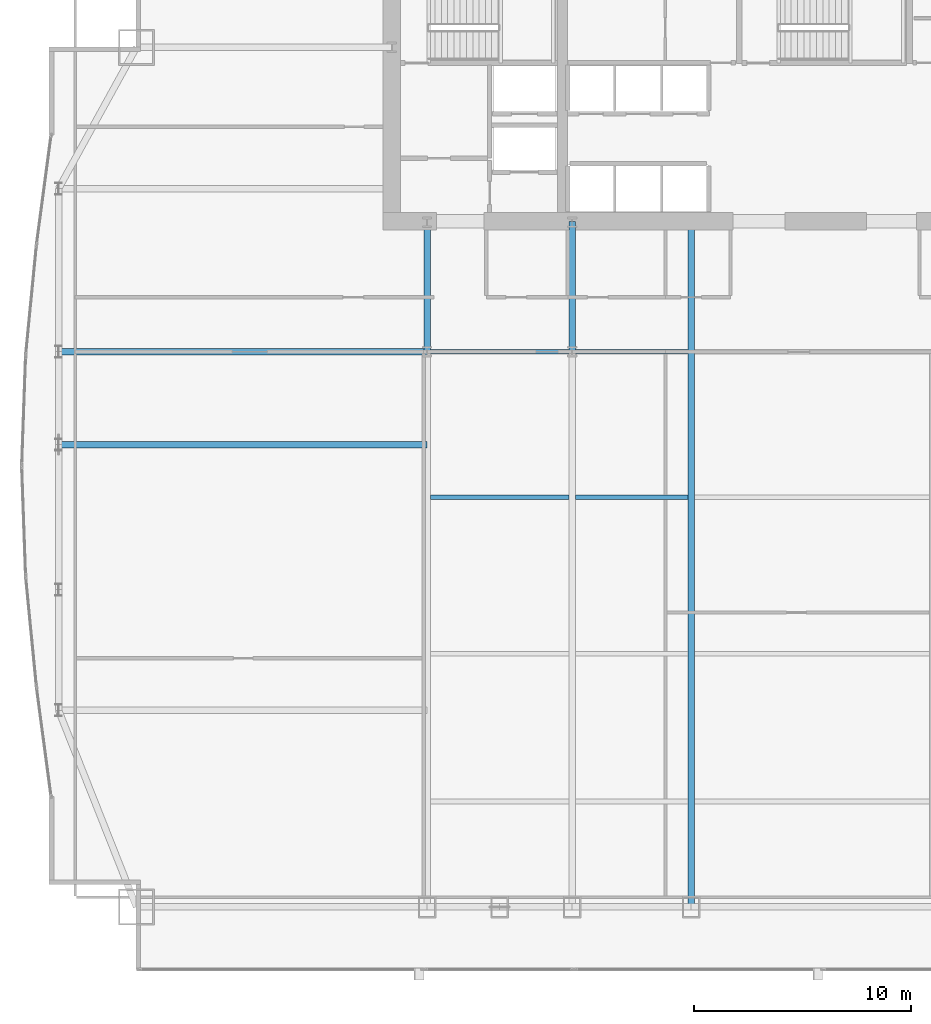
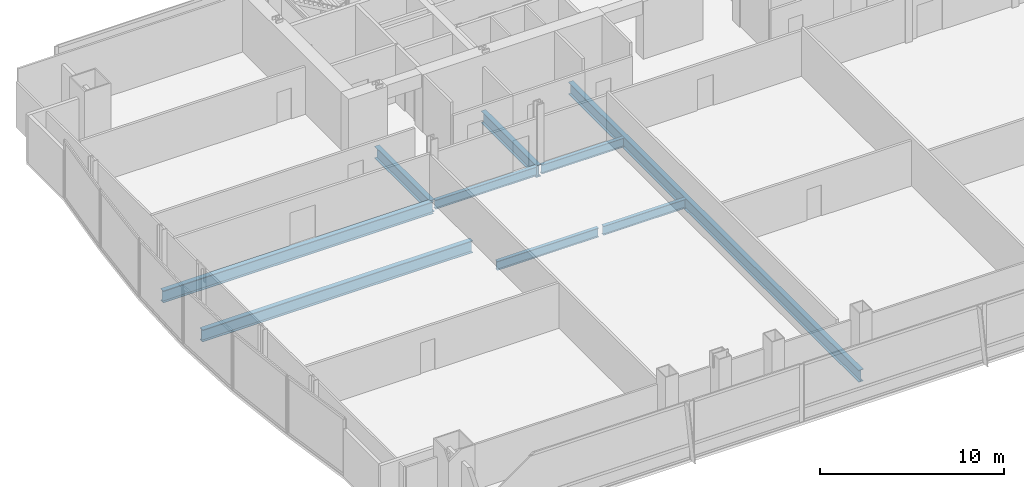
# One storey, part 11 of 35: 9 beams.
"""IFC4 building model written with IfcOpenShell, lengths in metres."""

from ifc_helpers import new_model, si_unit, direction, frame, origin, origin_2d, place, context, subcontext, project, spatial, i_section, extrude, material, material_profile, profile_set, type_object, element, save


model = new_model("IFC4")

# Units and contexts
model_context = context("Model", 3, precision=1e-05, world=origin(), true_north=direction((0.0, 1.0)))
body_context = subcontext(model_context, "Body", "Model", "MODEL_VIEW")
ifc_project = project(units=[si_unit("LENGTHUNIT", "METRE"), si_unit("AREAUNIT", "SQUARE_METRE"), si_unit("VOLUMEUNIT", "CUBIC_METRE"), si_unit("PLANEANGLEUNIT", "RADIAN"), si_unit("MASSUNIT", "GRAM", prefix="KILO")], contexts=[model_context])

# Site, building, storey
site_placement = place(None, origin())
site = spatial("IfcSite", under=ifc_project, at=site_placement, CompositionType="ELEMENT")
building_placement = place(site_placement, origin())
building = spatial("IfcBuilding", under=site, at=building_placement, Name="Khoronbel Lancet Exchange", CompositionType="ELEMENT")
storey_placement = place(building_placement, frame((0.0, 0.0, 69.800048828125)))
storey = spatial("IfcBuildingStorey", under=building, at=storey_placement, Name="L16", CompositionType="ELEMENT", Elevation=69.800048828125)

# Beams
ifc_material = material(Name="Steel S355", Category="steel")
ifc_material_profile_1 = material_profile(ifc_material, i_section(OverallWidth=0.300048828125, OverallDepth=0.800048828125, WebThickness=0.017578125, FlangeThickness=0.032958984375, at=origin_2d()), Name="HEB 800")
ifc_profile_set_1 = profile_set([ifc_material_profile_1], Name="Steel S355")
beam_type_1 = type_object("IfcBeamType", Name="BM-BG2", PredefinedType="BEAM", material=ifc_profile_set_1)
for number, where, z_axis, x_axis, name in (
    (1, (18.22509765625, 35.699951171875, -0.580078125), (0.0, 1.0, 0.0), (-1.0, 0.0, 0.0), "Level L16 spine tie girder GN1"),
    (2, (24.89990234375, 35.699951171875, -0.580078125), (0.0, 1.0, 0.0), (-1.0, 0.0, 0.0), "Level L16 spine tie girder GN2"),
):
    element("IfcBeam", number, at=place(storey_placement, frame(where, z_axis=z_axis, x_axis=x_axis)), inside=storey, type_object=beam_type_1, Name=name, PredefinedType="BEAM", context=body_context, shape_type="SweptSolid", body=[
        extrude(i_section(OverallWidth=0.300048828125, OverallDepth=0.800048828125, WebThickness=0.017578125, FlangeThickness=0.032958984375, at=origin_2d()), origin(), (0.0, 0.0, 1.0), 6.0),
    ])
beam_1_placement = place(storey_placement, frame((30.375, 10.14990234375, -0.580078125), z_axis=(0.0, 1.0, 0.0), x_axis=(-1.0, 0.0, 0.0)))
element("IfcBeam", 3, at=beam_1_placement, inside=storey, type_object=beam_type_1, Name="Level L16 primary floor girder G3", PredefinedType="BEAM", context=body_context, shape_type="SweptSolid", body=[
    extrude(i_section(OverallWidth=0.300048828125, OverallDepth=0.800048828125, WebThickness=0.017578125, FlangeThickness=0.032958984375, at=origin_2d()), origin(), (0.0, 0.0, 1.0), 31.550048828125),
])
for number, where, z_axis, x_axis, name in (
    (4, (1.27001953125, 31.425048828125, -0.580078125), (1.0, 0.0, 0.0), (0.0, 1.0, 0.0), "Level L16 west lens tie girder LG2W"),
    (5, (1.27001953125, 35.699951171875, -0.580078125), (1.0, 0.0, 0.0), (0.0, 1.0, 0.0), "Level L16 west lens tie girder LG4W"),
):
    element("IfcBeam", number, at=place(storey_placement, frame(where, z_axis=z_axis, x_axis=x_axis)), inside=storey, type_object=beam_type_1, Name=name, PredefinedType="BEAM", context=body_context, shape_type="SweptSolid", body=[
        extrude(i_section(OverallWidth=0.300048828125, OverallDepth=0.800048828125, WebThickness=0.017578125, FlangeThickness=0.032958984375, at=origin_2d()), origin(), (0.0, 0.0, 1.0), 16.955078125),
    ])
ifc_material_profile_2 = material_profile(ifc_material, i_section(OverallWidth=0.219970703125, OverallDepth=0.60009765625, WebThickness=0.011962890625, FlangeThickness=0.01904296875, at=origin_2d()), Name="IPE 600")
ifc_profile_set_2 = profile_set([ifc_material_profile_2], Name="Steel S355")
beam_type_2 = type_object("IfcBeamType", Name="BM-BJ1", PredefinedType="JOIST", material=ifc_profile_set_2)
beam_2_placement = place(storey_placement, frame((18.375, 29.0, -0.47998046875), z_axis=(1.0, 0.0, 0.0), x_axis=(0.0, 1.0, 0.0)))
element("IfcBeam", 6, at=beam_2_placement, inside=storey, type_object=beam_type_2, Name="Level L16 secondary composite joist J11", PredefinedType="JOIST", context=body_context, shape_type="SweptSolid", body=[
    extrude(i_section(OverallWidth=0.219970703125, OverallDepth=0.60009765625, WebThickness=0.011962890625, FlangeThickness=0.01904296875, at=origin_2d()), origin(), (0.0, 0.0, 1.0), 6.375),
])
beam_3_placement = place(storey_placement, frame((25.050048828125, 29.0, -0.47998046875), z_axis=(1.0, 0.0, 0.0), x_axis=(0.0, 1.0, 0.0)))
element("IfcBeam", 7, at=beam_3_placement, inside=storey, type_object=beam_type_2, Name="Level L16 secondary composite joist J12", PredefinedType="JOIST", context=body_context, shape_type="SweptSolid", body=[
    extrude(i_section(OverallWidth=0.219970703125, OverallDepth=0.60009765625, WebThickness=0.011962890625, FlangeThickness=0.01904296875, at=origin_2d()), origin(), (0.0, 0.0, 1.0), 5.175048828125),
])
beam_4_placement = place(storey_placement, frame((18.375, 35.699951171875, -0.47998046875), z_axis=(1.0, 0.0, 0.0), x_axis=(0.0, 1.0, 0.0)))
element("IfcBeam", 8, at=beam_4_placement, inside=storey, type_object=beam_type_2, Name="Level L16 secondary composite joist J16", PredefinedType="JOIST", context=body_context, shape_type="SweptSolid", body=[
    extrude(i_section(OverallWidth=0.219970703125, OverallDepth=0.60009765625, WebThickness=0.011962890625, FlangeThickness=0.01904296875, at=origin_2d()), origin(), (0.0, 0.0, 1.0), 6.375),
])
beam_5_placement = place(storey_placement, frame((25.050048828125, 35.699951171875, -0.47998046875), z_axis=(1.0, 0.0, 0.0), x_axis=(0.0, 1.0, 0.0)))
element("IfcBeam", 9, at=beam_5_placement, inside=storey, type_object=beam_type_2, Name="Level L16 secondary composite joist J17", PredefinedType="JOIST", context=body_context, shape_type="SweptSolid", body=[
    extrude(i_section(OverallWidth=0.219970703125, OverallDepth=0.60009765625, WebThickness=0.011962890625, FlangeThickness=0.01904296875, at=origin_2d()), origin(), (0.0, 0.0, 1.0), 5.175048828125),
])

save(model, "model.ifc")
